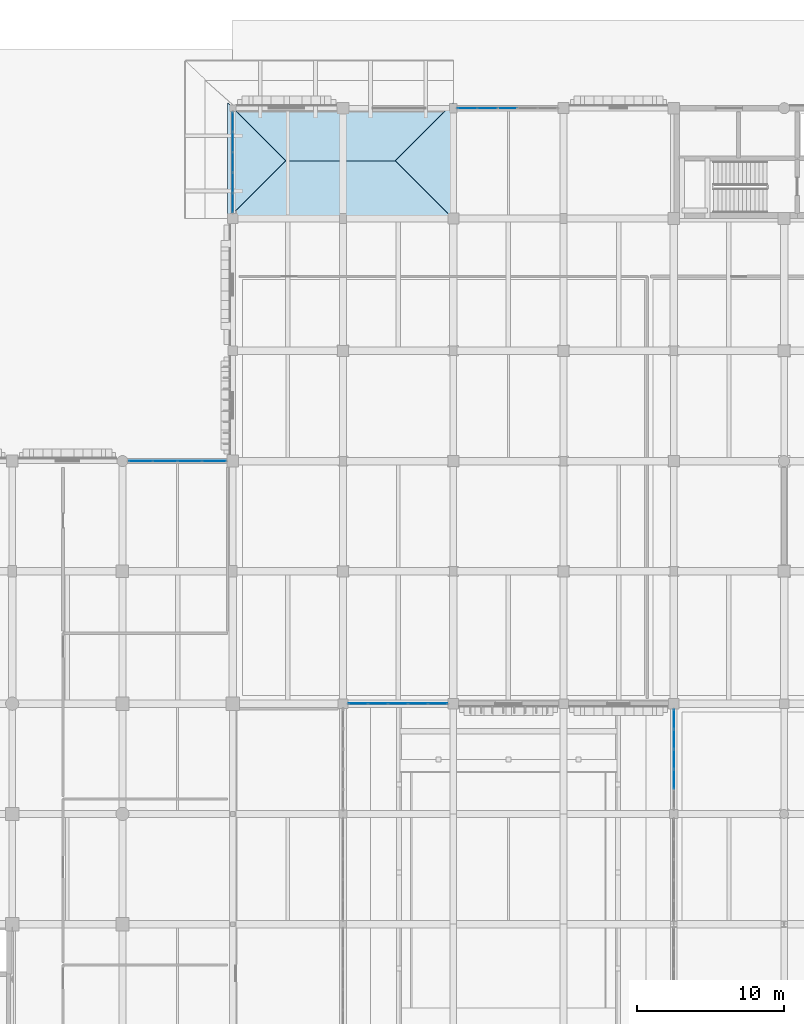
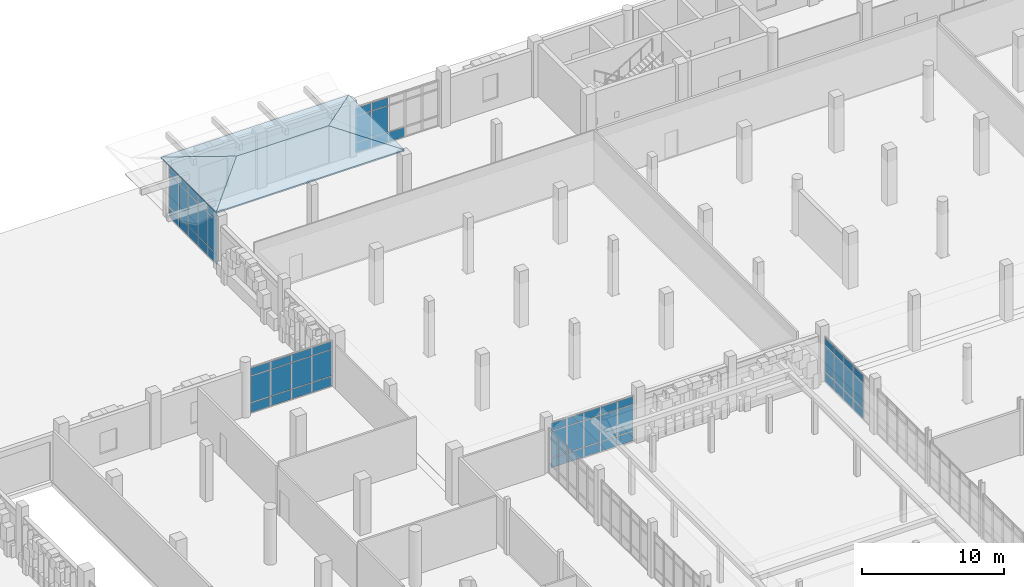
# One storey, part 78 of 125: 61 plates, 4 slabs, 6 elements without a shape of their own.
"""IFC4 building model written with IfcOpenShell, lengths in metres."""

from ifc_helpers import new_model, si_unit, direction, frame, origin, origin_2d, place, context, subcontext, project, spatial, polyline, rectangle, outline, extrude, material, layer, layer_set, type_object, element, aggregate, save


model = new_model("IFC4")

# Units and contexts
model_context = context("Model", 3, precision=1e-05, world=origin(), true_north=direction((0.0, 1.0)))
body_context = subcontext(model_context, "Body", "Model", "MODEL_VIEW")
ifc_project = project(units=[si_unit("LENGTHUNIT", "METRE"), si_unit("AREAUNIT", "SQUARE_METRE"), si_unit("VOLUMEUNIT", "CUBIC_METRE"), si_unit("PLANEANGLEUNIT", "RADIAN"), si_unit("MASSUNIT", "GRAM", prefix="KILO")], contexts=[model_context])

# Site, building, storey
site_placement = place(None, origin())
site = spatial("IfcSite", under=ifc_project, at=site_placement, CompositionType="ELEMENT")
building_placement = place(site_placement, origin())
building = spatial("IfcBuilding", under=site, at=building_placement, Name="Dalvernix Boulevard General Hospital", CompositionType="ELEMENT")
storey_placement = place(building_placement, origin())
storey = spatial("IfcBuildingStorey", under=building, at=storey_placement, Name="L00", CompositionType="ELEMENT", Elevation=0.0)

# Curtain wall, plates
ifc_material_1 = material(Name="Thermally broken aluminium and solar-control glass curtain wall", Category="aluminium")
ifc_layer_1 = layer(ifc_material_1, 0.159912109375)
ifc_layer_set_1 = layer_set([ifc_layer_1], Name="Thermally broken aluminium and solar-control glass curtain wall (CW-CW-A-67x40)")
curtain_wall_type_1 = type_object("IfcCurtainWallType", Name="CW-CW-A-67x40", PredefinedType="USERDEFINED", material=ifc_layer_set_1)
curtain_wall_1_placement = place(storey_placement, origin())
curtain_wall_1 = element("IfcCurtainWall", 1, at=curtain_wall_1_placement, inside=storey, type_object=curtain_wall_type_1, Name="L00 curtain wall CW-A-67x40 3-12", ObjectType="GLAZED FACADE", PredefinedType="USERDEFINED")
ifc_material_2 = material(Name="Double-glazed solar-control low-emissivity glass", Category="glass")
ifc_layer_2 = layer(ifc_material_2, 0.02392578125)
ifc_layer_set_2 = layer_set([ifc_layer_2], Name="Double-glazed solar-control low-emissivity glass (PLT-CW-P1)")
plate_type_1 = type_object("IfcPlateType", Name="PLT-CW-P1", PredefinedType="CURTAIN_PANEL", material=ifc_layer_set_2)
plate_1_placement = place(storey_placement, frame((23.738037109375, 93.0, 0.06005859375), z_axis=(0.0, 0.0, 1.0), x_axis=(1.0, 0.0, 0.0)))
plate_1 = element("IfcPlate", 2, at=plate_1_placement, type_object=plate_type_1, Name="CW-A-67x40 panel 1.1", PredefinedType="CURTAIN_PANEL", context=body_context, shape_type="SweptSolid", body=[
    extrude(rectangle(XDim=1.586181640625, YDim=0.02392578125, at=origin_2d()), origin(), (0.0, 0.0, 1.0), 0.81005859375),
])
plate_2_placement = place(storey_placement, frame((23.738037109375, 93.0, 0.93017578125), z_axis=(0.0, 0.0, 1.0), x_axis=(1.0, 0.0, 0.0)))
plate_2 = element("IfcPlate", 3, at=plate_2_placement, type_object=plate_type_1, Name="CW-A-67x40 panel 1.2", PredefinedType="CURTAIN_PANEL", context=body_context, shape_type="SweptSolid", body=[
    extrude(rectangle(XDim=1.586181640625, YDim=0.02392578125, at=origin_2d()), origin(), (0.0, 0.0, 1.0), 2.239990234375),
])
plate_3_placement = place(storey_placement, frame((23.738037109375, 93.0, 3.22998046875), z_axis=(0.0, 0.0, 1.0), x_axis=(1.0, 0.0, 0.0)))
plate_3 = element("IfcPlate", 4, at=plate_3_placement, type_object=plate_type_1, Name="CW-A-67x40 panel 1.3", PredefinedType="CURTAIN_PANEL", context=body_context, shape_type="SweptSolid", body=[
    extrude(rectangle(XDim=1.586181640625, YDim=0.02392578125, at=origin_2d()), origin(), (0.0, 0.0, 1.0), 0.659912109375),
])
plate_4_placement = place(storey_placement, frame((25.3994140625, 93.0, 0.06005859375), z_axis=(0.0, 0.0, 1.0), x_axis=(1.0, 0.0, 0.0)))
plate_4 = element("IfcPlate", 5, at=plate_4_placement, type_object=plate_type_1, Name="CW-A-67x40 panel 2.1", PredefinedType="CURTAIN_PANEL", context=body_context, shape_type="SweptSolid", body=[
    extrude(rectangle(XDim=1.6162109375, YDim=0.02392578125, at=origin_2d()), origin(), (0.0, 0.0, 1.0), 0.81005859375),
])
plate_5_placement = place(storey_placement, frame((25.3994140625, 93.0, 0.93017578125), z_axis=(0.0, 0.0, 1.0), x_axis=(1.0, 0.0, 0.0)))
plate_5 = element("IfcPlate", 6, at=plate_5_placement, type_object=plate_type_1, Name="CW-A-67x40 panel 2.2", PredefinedType="CURTAIN_PANEL", context=body_context, shape_type="SweptSolid", body=[
    extrude(rectangle(XDim=1.6162109375, YDim=0.02392578125, at=origin_2d()), origin(), (0.0, 0.0, 1.0), 2.239990234375),
])
plate_6_placement = place(storey_placement, frame((25.3994140625, 93.0, 3.22998046875), z_axis=(0.0, 0.0, 1.0), x_axis=(1.0, 0.0, 0.0)))
plate_6 = element("IfcPlate", 7, at=plate_6_placement, type_object=plate_type_1, Name="CW-A-67x40 panel 2.3", PredefinedType="CURTAIN_PANEL", context=body_context, shape_type="SweptSolid", body=[
    extrude(rectangle(XDim=1.6162109375, YDim=0.02392578125, at=origin_2d()), origin(), (0.0, 0.0, 1.0), 0.659912109375),
])
plate_7_placement = place(storey_placement, frame((27.07568359375, 93.0, 0.06005859375), z_axis=(0.0, 0.0, 1.0), x_axis=(1.0, 0.0, 0.0)))
plate_7 = element("IfcPlate", 8, at=plate_7_placement, type_object=plate_type_1, Name="CW-A-67x40 panel 3.1", PredefinedType="CURTAIN_PANEL", context=body_context, shape_type="SweptSolid", body=[
    extrude(rectangle(XDim=1.6162109375, YDim=0.02392578125, at=origin_2d()), origin(), (0.0, 0.0, 1.0), 0.81005859375),
])
plate_8_placement = place(storey_placement, frame((27.07568359375, 93.0, 0.93017578125), z_axis=(0.0, 0.0, 1.0), x_axis=(1.0, 0.0, 0.0)))
plate_8 = element("IfcPlate", 9, at=plate_8_placement, type_object=plate_type_1, Name="CW-A-67x40 panel 3.2", PredefinedType="CURTAIN_PANEL", context=body_context, shape_type="SweptSolid", body=[
    extrude(rectangle(XDim=1.6162109375, YDim=0.02392578125, at=origin_2d()), origin(), (0.0, 0.0, 1.0), 2.239990234375),
])
plate_9_placement = place(storey_placement, frame((27.07568359375, 93.0, 3.22998046875), z_axis=(0.0, 0.0, 1.0), x_axis=(1.0, 0.0, 0.0)))
plate_9 = element("IfcPlate", 10, at=plate_9_placement, type_object=plate_type_1, Name="CW-A-67x40 panel 3.3", PredefinedType="CURTAIN_PANEL", context=body_context, shape_type="SweptSolid", body=[
    extrude(rectangle(XDim=1.6162109375, YDim=0.02392578125, at=origin_2d()), origin(), (0.0, 0.0, 1.0), 0.659912109375),
])
plate_10_placement = place(storey_placement, frame((28.73681640625, 93.0, 0.06005859375), z_axis=(0.0, 0.0, 1.0), x_axis=(1.0, 0.0, 0.0)))
plate_10 = element("IfcPlate", 11, at=plate_10_placement, type_object=plate_type_1, Name="CW-A-67x40 panel 4.1", PredefinedType="CURTAIN_PANEL", context=body_context, shape_type="SweptSolid", body=[
    extrude(rectangle(XDim=1.586181640625, YDim=0.02392578125, at=origin_2d()), origin(), (0.0, 0.0, 1.0), 0.81005859375),
])
plate_11_placement = place(storey_placement, frame((28.73681640625, 93.0, 0.93017578125), z_axis=(0.0, 0.0, 1.0), x_axis=(1.0, 0.0, 0.0)))
plate_11 = element("IfcPlate", 12, at=plate_11_placement, type_object=plate_type_1, Name="CW-A-67x40 panel 4.2", PredefinedType="CURTAIN_PANEL", context=body_context, shape_type="SweptSolid", body=[
    extrude(rectangle(XDim=1.586181640625, YDim=0.02392578125, at=origin_2d()), origin(), (0.0, 0.0, 1.0), 2.239990234375),
])
plate_12_placement = place(storey_placement, frame((28.73681640625, 93.0, 3.22998046875), z_axis=(0.0, 0.0, 1.0), x_axis=(1.0, 0.0, 0.0)))
plate_12 = element("IfcPlate", 13, at=plate_12_placement, type_object=plate_type_1, Name="CW-A-67x40 panel 4.3", PredefinedType="CURTAIN_PANEL", context=body_context, shape_type="SweptSolid", body=[
    extrude(rectangle(XDim=1.586181640625, YDim=0.02392578125, at=origin_2d()), origin(), (0.0, 0.0, 1.0), 0.659912109375),
])
aggregate(curtain_wall_1, [plate_1, plate_2, plate_3, plate_4, plate_5, plate_6, plate_7, plate_8, plate_9, plate_10, plate_11, plate_12])

ifc_layer_3 = layer(ifc_material_1, 0.159912109375)
ifc_layer_set_3 = layer_set([ifc_layer_3], Name="Thermally broken aluminium and solar-control glass curtain wall (CW-CW-A-69x45)")
curtain_wall_type_2 = type_object("IfcCurtainWallType", Name="CW-CW-A-69x45", PredefinedType="USERDEFINED", material=ifc_layer_set_3)
curtain_wall_2_placement = place(storey_placement, origin())
curtain_wall_2 = element("IfcCurtainWall", 14, at=curtain_wall_2_placement, inside=storey, type_object=curtain_wall_type_2, Name="L00 curtain wall CW-A-69x45 4-14", ObjectType="GLAZED FACADE", PredefinedType="USERDEFINED")
plate_13_placement = place(storey_placement, frame((30.0, 110.5654296875, 0.06005859375), z_axis=(0.0, 0.0, 1.0), x_axis=(0.0, 1.0, 0.0)))
plate_13 = element("IfcPlate", 15, at=plate_13_placement, type_object=plate_type_1, Name="CW-A-69x45 panel 1.1", PredefinedType="CURTAIN_PANEL", context=body_context, shape_type="SweptSolid", body=[
    extrude(rectangle(XDim=1.291015625, YDim=0.02392578125, at=origin_2d()), origin(), (0.0, 0.0, 1.0), 0.81005859375),
])
plate_14_placement = place(storey_placement, frame((30.0, 110.5654296875, 0.929931640625), z_axis=(0.0, 0.0, 1.0), x_axis=(0.0, 1.0, 0.0)))
plate_14 = element("IfcPlate", 16, at=plate_14_placement, type_object=plate_type_1, Name="CW-A-69x45 panel 1.2", PredefinedType="CURTAIN_PANEL", context=body_context, shape_type="SweptSolid", body=[
    extrude(rectangle(XDim=1.291015625, YDim=0.02392578125, at=origin_2d()), origin(), (0.0, 0.0, 1.0), 2.7900390625),
])
plate_15_placement = place(storey_placement, frame((30.0, 110.5654296875, 3.7802734375), z_axis=(0.0, 0.0, 1.0), x_axis=(0.0, 1.0, 0.0)))
plate_15 = element("IfcPlate", 17, at=plate_15_placement, type_object=plate_type_1, Name="CW-A-69x45 panel 1.3", PredefinedType="CURTAIN_PANEL", context=body_context, shape_type="SweptSolid", body=[
    extrude(rectangle(XDim=1.291015625, YDim=0.02392578125, at=origin_2d()), origin(), (0.0, 0.0, 1.0), 0.659912109375),
])
plate_16_placement = place(storey_placement, frame((30.0, 111.931396484375, 0.06005859375), z_axis=(0.0, 0.0, 1.0), x_axis=(0.0, 1.0, 0.0)))
plate_16 = element("IfcPlate", 18, at=plate_16_placement, type_object=plate_type_1, Name="CW-A-69x45 panel 2.1", PredefinedType="CURTAIN_PANEL", context=body_context, shape_type="SweptSolid", body=[
    extrude(rectangle(XDim=1.321044921875, YDim=0.02392578125, at=origin_2d()), origin(), (0.0, 0.0, 1.0), 0.81005859375),
])
plate_17_placement = place(storey_placement, frame((30.0, 111.931396484375, 0.929931640625), z_axis=(0.0, 0.0, 1.0), x_axis=(0.0, 1.0, 0.0)))
plate_17 = element("IfcPlate", 19, at=plate_17_placement, type_object=plate_type_1, Name="CW-A-69x45 panel 2.2", PredefinedType="CURTAIN_PANEL", context=body_context, shape_type="SweptSolid", body=[
    extrude(rectangle(XDim=1.321044921875, YDim=0.02392578125, at=origin_2d()), origin(), (0.0, 0.0, 1.0), 2.7900390625),
])
plate_18_placement = place(storey_placement, frame((30.0, 111.931396484375, 3.7802734375), z_axis=(0.0, 0.0, 1.0), x_axis=(0.0, 1.0, 0.0)))
plate_18 = element("IfcPlate", 20, at=plate_18_placement, type_object=plate_type_1, Name="CW-A-69x45 panel 2.3", PredefinedType="CURTAIN_PANEL", context=body_context, shape_type="SweptSolid", body=[
    extrude(rectangle(XDim=1.321044921875, YDim=0.02392578125, at=origin_2d()), origin(), (0.0, 0.0, 1.0), 0.659912109375),
])
plate_19_placement = place(storey_placement, frame((30.0, 113.3125, 0.06005859375), z_axis=(0.0, 0.0, 1.0), x_axis=(0.0, 1.0, 0.0)))
plate_19 = element("IfcPlate", 21, at=plate_19_placement, type_object=plate_type_1, Name="CW-A-69x45 panel 3.1", PredefinedType="CURTAIN_PANEL", context=body_context, shape_type="SweptSolid", body=[
    extrude(rectangle(XDim=1.321044921875, YDim=0.02392578125, at=origin_2d()), origin(), (0.0, 0.0, 1.0), 0.81005859375),
])
plate_20_placement = place(storey_placement, frame((30.0, 113.3125, 0.929931640625), z_axis=(0.0, 0.0, 1.0), x_axis=(0.0, 1.0, 0.0)))
plate_20 = element("IfcPlate", 22, at=plate_20_placement, type_object=plate_type_1, Name="CW-A-69x45 panel 3.2", PredefinedType="CURTAIN_PANEL", context=body_context, shape_type="SweptSolid", body=[
    extrude(rectangle(XDim=1.321044921875, YDim=0.02392578125, at=origin_2d()), origin(), (0.0, 0.0, 1.0), 2.7900390625),
])
plate_21_placement = place(storey_placement, frame((30.0, 113.3125, 3.7802734375), z_axis=(0.0, 0.0, 1.0), x_axis=(0.0, 1.0, 0.0)))
plate_21 = element("IfcPlate", 23, at=plate_21_placement, type_object=plate_type_1, Name="CW-A-69x45 panel 3.3", PredefinedType="CURTAIN_PANEL", context=body_context, shape_type="SweptSolid", body=[
    extrude(rectangle(XDim=1.321044921875, YDim=0.02392578125, at=origin_2d()), origin(), (0.0, 0.0, 1.0), 0.659912109375),
])
plate_22_placement = place(storey_placement, frame((30.0, 114.693603515625, 0.06005859375), z_axis=(0.0, 0.0, 1.0), x_axis=(0.0, 1.0, 0.0)))
plate_22 = element("IfcPlate", 24, at=plate_22_placement, type_object=plate_type_1, Name="CW-A-69x45 panel 4.1", PredefinedType="CURTAIN_PANEL", context=body_context, shape_type="SweptSolid", body=[
    extrude(rectangle(XDim=1.321044921875, YDim=0.02392578125, at=origin_2d()), origin(), (0.0, 0.0, 1.0), 0.81005859375),
])
plate_23_placement = place(storey_placement, frame((30.0, 114.693603515625, 0.929931640625), z_axis=(0.0, 0.0, 1.0), x_axis=(0.0, 1.0, 0.0)))
plate_23 = element("IfcPlate", 25, at=plate_23_placement, type_object=plate_type_1, Name="CW-A-69x45 panel 4.2", PredefinedType="CURTAIN_PANEL", context=body_context, shape_type="SweptSolid", body=[
    extrude(rectangle(XDim=1.321044921875, YDim=0.02392578125, at=origin_2d()), origin(), (0.0, 0.0, 1.0), 2.7900390625),
])
plate_24_placement = place(storey_placement, frame((30.0, 114.693603515625, 3.7802734375), z_axis=(0.0, 0.0, 1.0), x_axis=(0.0, 1.0, 0.0)))
plate_24 = element("IfcPlate", 26, at=plate_24_placement, type_object=plate_type_1, Name="CW-A-69x45 panel 4.3", PredefinedType="CURTAIN_PANEL", context=body_context, shape_type="SweptSolid", body=[
    extrude(rectangle(XDim=1.321044921875, YDim=0.02392578125, at=origin_2d()), origin(), (0.0, 0.0, 1.0), 0.659912109375),
])
plate_25_placement = place(storey_placement, frame((30.0, 116.0595703125, 0.06005859375), z_axis=(0.0, 0.0, 1.0), x_axis=(0.0, 1.0, 0.0)))
plate_25 = element("IfcPlate", 27, at=plate_25_placement, type_object=plate_type_1, Name="CW-A-69x45 panel 5.1", PredefinedType="CURTAIN_PANEL", context=body_context, shape_type="SweptSolid", body=[
    extrude(rectangle(XDim=1.291015625, YDim=0.02392578125, at=origin_2d()), origin(), (0.0, 0.0, 1.0), 0.81005859375),
])
plate_26_placement = place(storey_placement, frame((30.0, 116.0595703125, 0.929931640625), z_axis=(0.0, 0.0, 1.0), x_axis=(0.0, 1.0, 0.0)))
plate_26 = element("IfcPlate", 28, at=plate_26_placement, type_object=plate_type_1, Name="CW-A-69x45 panel 5.2", PredefinedType="CURTAIN_PANEL", context=body_context, shape_type="SweptSolid", body=[
    extrude(rectangle(XDim=1.291015625, YDim=0.02392578125, at=origin_2d()), origin(), (0.0, 0.0, 1.0), 2.7900390625),
])
plate_27_placement = place(storey_placement, frame((30.0, 116.0595703125, 3.7802734375), z_axis=(0.0, 0.0, 1.0), x_axis=(0.0, 1.0, 0.0)))
plate_27 = element("IfcPlate", 29, at=plate_27_placement, type_object=plate_type_1, Name="CW-A-69x45 panel 5.3", PredefinedType="CURTAIN_PANEL", context=body_context, shape_type="SweptSolid", body=[
    extrude(rectangle(XDim=1.291015625, YDim=0.02392578125, at=origin_2d()), origin(), (0.0, 0.0, 1.0), 0.659912109375),
])
aggregate(curtain_wall_2, [plate_13, plate_14, plate_15, plate_16, plate_17, plate_18, plate_19, plate_20, plate_21, plate_22, plate_23, plate_24, plate_25, plate_26, plate_27])

ifc_layer_4 = layer(ifc_material_1, 0.159912109375)
ifc_layer_set_4 = layer_set([ifc_layer_4], Name="Thermally broken aluminium and solar-control glass curtain wall (CW-CW-A-68x40)")
curtain_wall_type_3 = type_object("IfcCurtainWallType", Name="CW-CW-A-68x40", PredefinedType="USERDEFINED", material=ifc_layer_set_4)
curtain_wall_3_placement = place(storey_placement, origin())
curtain_wall_3 = element("IfcCurtainWall", 30, at=curtain_wall_3_placement, inside=storey, type_object=curtain_wall_type_3, Name="L00 curtain wall CW-A-68x40 5-10", ObjectType="GLAZED FACADE", PredefinedType="USERDEFINED")
plate_28_placement = place(storey_placement, frame((43.944580078125, 76.5, 0.06005859375), z_axis=(0.0, 0.0, 1.0), x_axis=(-1.0, 0.0, 0.0)))
plate_28 = element("IfcPlate", 31, at=plate_28_placement, type_object=plate_type_1, Name="CW-A-68x40 panel 1.1", PredefinedType="CURTAIN_PANEL", context=body_context, shape_type="SweptSolid", body=[
    extrude(rectangle(XDim=1.27099609375, YDim=0.02392578125, at=origin_2d()), origin(), (0.0, 0.0, 1.0), 0.81005859375),
])
plate_29_placement = place(storey_placement, frame((43.944580078125, 76.5, 0.93017578125), z_axis=(0.0, 0.0, 1.0), x_axis=(-1.0, 0.0, 0.0)))
plate_29 = element("IfcPlate", 32, at=plate_29_placement, type_object=plate_type_1, Name="CW-A-68x40 panel 1.2", PredefinedType="CURTAIN_PANEL", context=body_context, shape_type="SweptSolid", body=[
    extrude(rectangle(XDim=1.27099609375, YDim=0.02392578125, at=origin_2d()), origin(), (0.0, 0.0, 1.0), 2.239990234375),
])
plate_30_placement = place(storey_placement, frame((43.944580078125, 76.5, 3.22998046875), z_axis=(0.0, 0.0, 1.0), x_axis=(-1.0, 0.0, 0.0)))
plate_30 = element("IfcPlate", 33, at=plate_30_placement, type_object=plate_type_1, Name="CW-A-68x40 panel 1.3", PredefinedType="CURTAIN_PANEL", context=body_context, shape_type="SweptSolid", body=[
    extrude(rectangle(XDim=1.27099609375, YDim=0.02392578125, at=origin_2d()), origin(), (0.0, 0.0, 1.0), 0.659912109375),
])
plate_31_placement = place(storey_placement, frame((42.598388671875, 76.5, 0.06005859375), z_axis=(0.0, 0.0, 1.0), x_axis=(-1.0, 0.0, 0.0)))
plate_31 = element("IfcPlate", 34, at=plate_31_placement, type_object=plate_type_1, Name="CW-A-68x40 panel 2.1", PredefinedType="CURTAIN_PANEL", context=body_context, shape_type="SweptSolid", body=[
    extrude(rectangle(XDim=1.301025390625, YDim=0.02392578125, at=origin_2d()), origin(), (0.0, 0.0, 1.0), 0.81005859375),
])
plate_32_placement = place(storey_placement, frame((42.598388671875, 76.5, 0.93017578125), z_axis=(0.0, 0.0, 1.0), x_axis=(-1.0, 0.0, 0.0)))
plate_32 = element("IfcPlate", 35, at=plate_32_placement, type_object=plate_type_1, Name="CW-A-68x40 panel 2.2", PredefinedType="CURTAIN_PANEL", context=body_context, shape_type="SweptSolid", body=[
    extrude(rectangle(XDim=1.301025390625, YDim=0.02392578125, at=origin_2d()), origin(), (0.0, 0.0, 1.0), 2.239990234375),
])
plate_33_placement = place(storey_placement, frame((42.598388671875, 76.5, 3.22998046875), z_axis=(0.0, 0.0, 1.0), x_axis=(-1.0, 0.0, 0.0)))
plate_33 = element("IfcPlate", 36, at=plate_33_placement, type_object=plate_type_1, Name="CW-A-68x40 panel 2.3", PredefinedType="CURTAIN_PANEL", context=body_context, shape_type="SweptSolid", body=[
    extrude(rectangle(XDim=1.301025390625, YDim=0.02392578125, at=origin_2d()), origin(), (0.0, 0.0, 1.0), 0.659912109375),
])
plate_34_placement = place(storey_placement, frame((41.237548828125, 76.5, 0.06005859375), z_axis=(0.0, 0.0, 1.0), x_axis=(-1.0, 0.0, 0.0)))
plate_34 = element("IfcPlate", 37, at=plate_34_placement, type_object=plate_type_1, Name="CW-A-68x40 panel 3.1", PredefinedType="CURTAIN_PANEL", context=body_context, shape_type="SweptSolid", body=[
    extrude(rectangle(XDim=1.301025390625, YDim=0.02392578125, at=origin_2d()), origin(), (0.0, 0.0, 1.0), 0.81005859375),
])
plate_35_placement = place(storey_placement, frame((41.237548828125, 76.5, 0.93017578125), z_axis=(0.0, 0.0, 1.0), x_axis=(-1.0, 0.0, 0.0)))
plate_35 = element("IfcPlate", 38, at=plate_35_placement, type_object=plate_type_1, Name="CW-A-68x40 panel 3.2", PredefinedType="CURTAIN_PANEL", context=body_context, shape_type="SweptSolid", body=[
    extrude(rectangle(XDim=1.301025390625, YDim=0.02392578125, at=origin_2d()), origin(), (0.0, 0.0, 1.0), 2.239990234375),
])
plate_36_placement = place(storey_placement, frame((41.237548828125, 76.5, 3.22998046875), z_axis=(0.0, 0.0, 1.0), x_axis=(-1.0, 0.0, 0.0)))
plate_36 = element("IfcPlate", 39, at=plate_36_placement, type_object=plate_type_1, Name="CW-A-68x40 panel 3.3", PredefinedType="CURTAIN_PANEL", context=body_context, shape_type="SweptSolid", body=[
    extrude(rectangle(XDim=1.301025390625, YDim=0.02392578125, at=origin_2d()), origin(), (0.0, 0.0, 1.0), 0.659912109375),
])
plate_37_placement = place(storey_placement, frame((39.87646484375, 76.5, 0.06005859375), z_axis=(0.0, 0.0, 1.0), x_axis=(-1.0, 0.0, 0.0)))
plate_37 = element("IfcPlate", 40, at=plate_37_placement, type_object=plate_type_1, Name="CW-A-68x40 panel 4.1", PredefinedType="CURTAIN_PANEL", context=body_context, shape_type="SweptSolid", body=[
    extrude(rectangle(XDim=1.301025390625, YDim=0.02392578125, at=origin_2d()), origin(), (0.0, 0.0, 1.0), 0.81005859375),
])
plate_38_placement = place(storey_placement, frame((39.87646484375, 76.5, 0.93017578125), z_axis=(0.0, 0.0, 1.0), x_axis=(-1.0, 0.0, 0.0)))
plate_38 = element("IfcPlate", 41, at=plate_38_placement, type_object=plate_type_1, Name="CW-A-68x40 panel 4.2", PredefinedType="CURTAIN_PANEL", context=body_context, shape_type="SweptSolid", body=[
    extrude(rectangle(XDim=1.301025390625, YDim=0.02392578125, at=origin_2d()), origin(), (0.0, 0.0, 1.0), 2.239990234375),
])
plate_39_placement = place(storey_placement, frame((39.87646484375, 76.5, 3.22998046875), z_axis=(0.0, 0.0, 1.0), x_axis=(-1.0, 0.0, 0.0)))
plate_39 = element("IfcPlate", 42, at=plate_39_placement, type_object=plate_type_1, Name="CW-A-68x40 panel 4.3", PredefinedType="CURTAIN_PANEL", context=body_context, shape_type="SweptSolid", body=[
    extrude(rectangle(XDim=1.301025390625, YDim=0.02392578125, at=origin_2d()), origin(), (0.0, 0.0, 1.0), 0.659912109375),
])
plate_40_placement = place(storey_placement, frame((38.530517578125, 76.5, 0.06005859375), z_axis=(0.0, 0.0, 1.0), x_axis=(-1.0, 0.0, 0.0)))
plate_40 = element("IfcPlate", 43, at=plate_40_placement, type_object=plate_type_1, Name="CW-A-68x40 panel 5.1", PredefinedType="CURTAIN_PANEL", context=body_context, shape_type="SweptSolid", body=[
    extrude(rectangle(XDim=1.27099609375, YDim=0.02392578125, at=origin_2d()), origin(), (0.0, 0.0, 1.0), 0.81005859375),
])
plate_41_placement = place(storey_placement, frame((38.530517578125, 76.5, 0.93017578125), z_axis=(0.0, 0.0, 1.0), x_axis=(-1.0, 0.0, 0.0)))
plate_41 = element("IfcPlate", 44, at=plate_41_placement, type_object=plate_type_1, Name="CW-A-68x40 panel 5.2", PredefinedType="CURTAIN_PANEL", context=body_context, shape_type="SweptSolid", body=[
    extrude(rectangle(XDim=1.27099609375, YDim=0.02392578125, at=origin_2d()), origin(), (0.0, 0.0, 1.0), 2.239990234375),
])
plate_42_placement = place(storey_placement, frame((38.530517578125, 76.5, 3.22998046875), z_axis=(0.0, 0.0, 1.0), x_axis=(-1.0, 0.0, 0.0)))
plate_42 = element("IfcPlate", 45, at=plate_42_placement, type_object=plate_type_1, Name="CW-A-68x40 panel 5.3", PredefinedType="CURTAIN_PANEL", context=body_context, shape_type="SweptSolid", body=[
    extrude(rectangle(XDim=1.27099609375, YDim=0.02392578125, at=origin_2d()), origin(), (0.0, 0.0, 1.0), 0.659912109375),
])
aggregate(curtain_wall_3, [plate_28, plate_29, plate_30, plate_31, plate_32, plate_33, plate_34, plate_35, plate_36, plate_37, plate_38, plate_39, plate_40, plate_41, plate_42])

ifc_layer_5 = layer(ifc_material_1, 0.159912109375)
ifc_layer_set_5 = layer_set([ifc_layer_5], Name="Thermally broken aluminium and solar-control glass curtain wall (CW-CW-A-69x40)")
curtain_wall_type_4 = type_object("IfcCurtainWallType", Name="CW-CW-A-69x40", PredefinedType="USERDEFINED", material=ifc_layer_set_5)
curtain_wall_4_placement = place(storey_placement, origin())
curtain_wall_4 = element("IfcCurtainWall", 46, at=curtain_wall_4_placement, inside=storey, type_object=curtain_wall_type_4, Name="L00 curtain wall CW-A-69x40 6-15", ObjectType="GLAZED FACADE", PredefinedType="USERDEFINED")
plate_43_placement = place(storey_placement, frame((45.96044921875, 117.0, 0.06005859375), z_axis=(0.0, 0.0, 1.0), x_axis=(1.0, 0.0, 0.0)))
plate_43 = element("IfcPlate", 47, at=plate_43_placement, type_object=plate_type_1, Name="CW-A-69x40 panel 1.1", PredefinedType="CURTAIN_PANEL", context=body_context, shape_type="SweptSolid", body=[
    extrude(rectangle(XDim=1.281005859375, YDim=0.02392578125, at=origin_2d()), origin(), (0.0, 0.0, 1.0), 0.81005859375),
])
plate_44_placement = place(storey_placement, frame((45.96044921875, 117.0, 0.93017578125), z_axis=(0.0, 0.0, 1.0), x_axis=(1.0, 0.0, 0.0)))
plate_44 = element("IfcPlate", 48, at=plate_44_placement, type_object=plate_type_1, Name="CW-A-69x40 panel 1.2", PredefinedType="CURTAIN_PANEL", context=body_context, shape_type="SweptSolid", body=[
    extrude(rectangle(XDim=1.281005859375, YDim=0.02392578125, at=origin_2d()), origin(), (0.0, 0.0, 1.0), 2.239990234375),
])
plate_45_placement = place(storey_placement, frame((45.96044921875, 117.0, 3.22998046875), z_axis=(0.0, 0.0, 1.0), x_axis=(1.0, 0.0, 0.0)))
plate_45 = element("IfcPlate", 49, at=plate_45_placement, type_object=plate_type_1, Name="CW-A-69x40 panel 1.3", PredefinedType="CURTAIN_PANEL", context=body_context, shape_type="SweptSolid", body=[
    extrude(rectangle(XDim=1.281005859375, YDim=0.02392578125, at=origin_2d()), origin(), (0.0, 0.0, 1.0), 0.659912109375),
])
plate_46_placement = place(storey_placement, frame((47.31640625, 117.0, 0.06005859375), z_axis=(0.0, 0.0, 1.0), x_axis=(1.0, 0.0, 0.0)))
plate_46 = element("IfcPlate", 50, at=plate_46_placement, type_object=plate_type_1, Name="CW-A-69x40 panel 2.1", PredefinedType="CURTAIN_PANEL", context=body_context, shape_type="SweptSolid", body=[
    extrude(rectangle(XDim=1.31103515625, YDim=0.02392578125, at=origin_2d()), origin(), (0.0, 0.0, 1.0), 0.81005859375),
])
plate_47_placement = place(storey_placement, frame((47.31640625, 117.0, 0.93017578125), z_axis=(0.0, 0.0, 1.0), x_axis=(1.0, 0.0, 0.0)))
plate_47 = element("IfcPlate", 51, at=plate_47_placement, type_object=plate_type_1, Name="CW-A-69x40 panel 2.2", PredefinedType="CURTAIN_PANEL", context=body_context, shape_type="SweptSolid", body=[
    extrude(rectangle(XDim=1.31103515625, YDim=0.02392578125, at=origin_2d()), origin(), (0.0, 0.0, 1.0), 2.239990234375),
])
plate_48_placement = place(storey_placement, frame((47.31640625, 117.0, 3.22998046875), z_axis=(0.0, 0.0, 1.0), x_axis=(1.0, 0.0, 0.0)))
plate_48 = element("IfcPlate", 52, at=plate_48_placement, type_object=plate_type_1, Name="CW-A-69x40 panel 2.3", PredefinedType="CURTAIN_PANEL", context=body_context, shape_type="SweptSolid", body=[
    extrude(rectangle(XDim=1.31103515625, YDim=0.02392578125, at=origin_2d()), origin(), (0.0, 0.0, 1.0), 0.659912109375),
])
plate_49_placement = place(storey_placement, frame((48.6875, 117.0, 0.06005859375), z_axis=(0.0, 0.0, 1.0), x_axis=(1.0, 0.0, 0.0)))
plate_49 = element("IfcPlate", 53, at=plate_49_placement, type_object=plate_type_1, Name="CW-A-69x40 panel 3.1", PredefinedType="CURTAIN_PANEL", context=body_context, shape_type="SweptSolid", body=[
    extrude(rectangle(XDim=1.31103515625, YDim=0.02392578125, at=origin_2d()), origin(), (0.0, 0.0, 1.0), 0.81005859375),
])
aggregate(curtain_wall_4, [plate_43, plate_44, plate_45, plate_46, plate_47, plate_48, plate_49])

ifc_layer_6 = layer(ifc_material_1, 0.199951171875)
ifc_layer_set_6 = layer_set([ifc_layer_6], Name="Thermally broken aluminium and solar-control glass curtain wall (CW-CW-C-68x39)")
curtain_wall_type_5 = type_object("IfcCurtainWallType", Name="CW-CW-C-68x39", PredefinedType="USERDEFINED", material=ifc_layer_set_6)
curtain_wall_5_placement = place(storey_placement, origin())
curtain_wall_5 = element("IfcCurtainWall", 54, at=curtain_wall_5_placement, inside=storey, type_object=curtain_wall_type_5, Name="L00 curtain wall CW-C-68x39 8-9", ObjectType="GLAZED FACADE", PredefinedType="USERDEFINED")
ifc_layer_7 = layer(ifc_material_2, 0.035888671875)
ifc_layer_set_7 = layer_set([ifc_layer_7], Name="Double-glazed solar-control low-emissivity glass (PLT-CW-P3)")
plate_type_2 = type_object("IfcPlateType", Name="PLT-CW-P3", PredefinedType="CURTAIN_PANEL", material=ifc_layer_set_7)
plate_50_placement = place(storey_placement, frame((60.0, 71.35888671875, 0.070068359375), z_axis=(0.0, 0.0, 1.0), x_axis=(0.0, 1.0, 0.0)))
plate_50 = element("IfcPlate", 55, at=plate_50_placement, type_object=plate_type_2, Name="CW-C-68x39 panel 2.1", PredefinedType="CURTAIN_PANEL", context=body_context, shape_type="SweptSolid", body=[
    extrude(rectangle(XDim=1.2958984375, YDim=0.035888671875, at=origin_2d()), origin(), (0.0, 0.0, 1.0), 0.794921875),
])
plate_51_placement = place(storey_placement, frame((60.0, 71.35888671875, 0.93505859375), z_axis=(0.0, 0.0, 1.0), x_axis=(0.0, 1.0, 0.0)))
plate_51 = element("IfcPlate", 56, at=plate_51_placement, type_object=plate_type_2, Name="CW-C-68x39 panel 2.2", PredefinedType="CURTAIN_PANEL", context=body_context, shape_type="SweptSolid", body=[
    extrude(rectangle(XDim=1.2958984375, YDim=0.035888671875, at=origin_2d()), origin(), (0.0, 0.0, 1.0), 2.179931640625),
])
plate_52_placement = place(storey_placement, frame((60.0, 71.35888671875, 3.18505859375), z_axis=(0.0, 0.0, 1.0), x_axis=(0.0, 1.0, 0.0)))
plate_52 = element("IfcPlate", 57, at=plate_52_placement, type_object=plate_type_2, Name="CW-C-68x39 panel 2.3", PredefinedType="CURTAIN_PANEL", context=body_context, shape_type="SweptSolid", body=[
    extrude(rectangle(XDim=1.2958984375, YDim=0.035888671875, at=origin_2d()), origin(), (0.0, 0.0, 1.0), 0.64501953125),
])
plate_53_placement = place(storey_placement, frame((60.0, 72.72509765625, 0.070068359375), z_axis=(0.0, 0.0, 1.0), x_axis=(0.0, 1.0, 0.0)))
plate_53 = element("IfcPlate", 58, at=plate_53_placement, type_object=plate_type_2, Name="CW-C-68x39 panel 3.1", PredefinedType="CURTAIN_PANEL", context=body_context, shape_type="SweptSolid", body=[
    extrude(rectangle(XDim=1.2958984375, YDim=0.035888671875, at=origin_2d()), origin(), (0.0, 0.0, 1.0), 0.794921875),
])
plate_54_placement = place(storey_placement, frame((60.0, 72.72509765625, 0.93505859375), z_axis=(0.0, 0.0, 1.0), x_axis=(0.0, 1.0, 0.0)))
plate_54 = element("IfcPlate", 59, at=plate_54_placement, type_object=plate_type_2, Name="CW-C-68x39 panel 3.2", PredefinedType="CURTAIN_PANEL", context=body_context, shape_type="SweptSolid", body=[
    extrude(rectangle(XDim=1.2958984375, YDim=0.035888671875, at=origin_2d()), origin(), (0.0, 0.0, 1.0), 2.179931640625),
])
plate_55_placement = place(storey_placement, frame((60.0, 72.72509765625, 3.18505859375), z_axis=(0.0, 0.0, 1.0), x_axis=(0.0, 1.0, 0.0)))
plate_55 = element("IfcPlate", 60, at=plate_55_placement, type_object=plate_type_2, Name="CW-C-68x39 panel 3.3", PredefinedType="CURTAIN_PANEL", context=body_context, shape_type="SweptSolid", body=[
    extrude(rectangle(XDim=1.2958984375, YDim=0.035888671875, at=origin_2d()), origin(), (0.0, 0.0, 1.0), 0.64501953125),
])
plate_56_placement = place(storey_placement, frame((60.0, 74.091064453125, 0.070068359375), z_axis=(0.0, 0.0, 1.0), x_axis=(0.0, 1.0, 0.0)))
plate_56 = element("IfcPlate", 61, at=plate_56_placement, type_object=plate_type_2, Name="CW-C-68x39 panel 4.1", PredefinedType="CURTAIN_PANEL", context=body_context, shape_type="SweptSolid", body=[
    extrude(rectangle(XDim=1.2958984375, YDim=0.035888671875, at=origin_2d()), origin(), (0.0, 0.0, 1.0), 0.794921875),
])
plate_57_placement = place(storey_placement, frame((60.0, 74.091064453125, 0.93505859375), z_axis=(0.0, 0.0, 1.0), x_axis=(0.0, 1.0, 0.0)))
plate_57 = element("IfcPlate", 62, at=plate_57_placement, type_object=plate_type_2, Name="CW-C-68x39 panel 4.2", PredefinedType="CURTAIN_PANEL", context=body_context, shape_type="SweptSolid", body=[
    extrude(rectangle(XDim=1.2958984375, YDim=0.035888671875, at=origin_2d()), origin(), (0.0, 0.0, 1.0), 2.179931640625),
])
plate_58_placement = place(storey_placement, frame((60.0, 74.091064453125, 3.18505859375), z_axis=(0.0, 0.0, 1.0), x_axis=(0.0, 1.0, 0.0)))
plate_58 = element("IfcPlate", 63, at=plate_58_placement, type_object=plate_type_2, Name="CW-C-68x39 panel 4.3", PredefinedType="CURTAIN_PANEL", context=body_context, shape_type="SweptSolid", body=[
    extrude(rectangle(XDim=1.2958984375, YDim=0.035888671875, at=origin_2d()), origin(), (0.0, 0.0, 1.0), 0.64501953125),
])
plate_59_placement = place(storey_placement, frame((60.0, 75.439453125, 0.070068359375), z_axis=(0.0, 0.0, 1.0), x_axis=(0.0, 1.0, 0.0)))
plate_59 = element("IfcPlate", 64, at=plate_59_placement, type_object=plate_type_2, Name="CW-C-68x39 panel 5.1", PredefinedType="CURTAIN_PANEL", context=body_context, shape_type="SweptSolid", body=[
    extrude(rectangle(XDim=1.260986328125, YDim=0.035888671875, at=origin_2d()), origin(), (0.0, 0.0, 1.0), 0.794921875),
])
plate_60_placement = place(storey_placement, frame((60.0, 75.439453125, 0.93505859375), z_axis=(0.0, 0.0, 1.0), x_axis=(0.0, 1.0, 0.0)))
plate_60 = element("IfcPlate", 65, at=plate_60_placement, type_object=plate_type_2, Name="CW-C-68x39 panel 5.2", PredefinedType="CURTAIN_PANEL", context=body_context, shape_type="SweptSolid", body=[
    extrude(rectangle(XDim=1.260986328125, YDim=0.035888671875, at=origin_2d()), origin(), (0.0, 0.0, 1.0), 2.179931640625),
])
plate_61_placement = place(storey_placement, frame((60.0, 75.439453125, 3.18505859375), z_axis=(0.0, 0.0, 1.0), x_axis=(0.0, 1.0, 0.0)))
plate_61 = element("IfcPlate", 66, at=plate_61_placement, type_object=plate_type_2, Name="CW-C-68x39 panel 5.3", PredefinedType="CURTAIN_PANEL", context=body_context, shape_type="SweptSolid", body=[
    extrude(rectangle(XDim=1.260986328125, YDim=0.035888671875, at=origin_2d()), origin(), (0.0, 0.0, 1.0), 0.64501953125),
])
aggregate(curtain_wall_5, [plate_50, plate_51, plate_52, plate_53, plate_54, plate_55, plate_56, plate_57, plate_58, plate_59, plate_60, plate_61])

# Roof, slabs
ifc_material_3 = material(Name="Polychrome Catalan glazed terracotta tile roof system", Category="masonry")
roof_type = type_object("IfcRoofType", Name="ROOF-HIP-01", PredefinedType="HIP_ROOF", material=ifc_material_3)
roof_placement = place(storey_placement, origin())
roof = element("IfcRoof", 67, at=roof_placement, inside=storey, type_object=roof_type, Name="V3-L00NW Hipped Ceramic Roof", PredefinedType="HIP_ROOF")
ifc_material_4 = material(Name="Glulam GL28h", Category="wood")
ifc_layer_8 = layer(ifc_material_4, 0.159912109375)
ifc_layer_set_8 = layer_set([ifc_layer_8], Name="Glulam GL28h (SLB-RS-04)")
slab_type = type_object("IfcSlabType", Name="SLB-RS-04", PredefinedType="ROOF", material=ifc_layer_set_8)
slab_1_placement = place(storey_placement, frame((29.64990234375, 109.5, 4.966064453125), z_axis=(0.0, -0.265536966303, 0.964100679144), x_axis=(1.0, 0.0, 0.0)))
slab_1 = element("IfcSlab", 68, at=slab_1_placement, type_object=slab_type, Name="V3-L00NW hipped roof slab S", PredefinedType="ROOF", context=body_context, shape_type="SweptSolid", body=[
    extrude(outline(polyline([(0.0, 0.0), (15.35009765625, 0.0), (11.425048828125, 4.07120222299644), (3.925048828125, 4.07120222299644), (0.0, 0.0)])), origin(), (0.0, 0.0, -1.0), 0.159912109375),
])
slab_2_placement = place(storey_placement, frame((45.0, 117.35009765625, 4.966064453125), z_axis=(0.0, 0.265536966303, 0.964100679144), x_axis=(-1.0, 0.0, 0.0)))
slab_2 = element("IfcSlab", 69, at=slab_2_placement, type_object=slab_type, Name="V3-L00NW hipped roof slab N", PredefinedType="ROOF", context=body_context, shape_type="SweptSolid", body=[
    extrude(outline(polyline([(0.0, 0.0), (15.35009765625, 0.0), (11.425048828125, 4.07120222299644), (3.925048828125, 4.07120222299644), (0.0, 0.0)])), origin(), (0.0, 0.0, -1.0), 0.159912109375),
])
slab_3_placement = place(storey_placement, frame((29.64990234375, 117.35009765625, 4.966064453125), z_axis=(-0.265536966303, 0.0, 0.964100679144), x_axis=(0.0, -1.0, 0.0)))
slab_3 = element("IfcSlab", 70, at=slab_3_placement, type_object=slab_type, Name="V3-L00NW hipped roof slab W", PredefinedType="ROOF", context=body_context, shape_type="SweptSolid", body=[
    extrude(outline(polyline([(0.0, 0.0), (7.85009765625, 0.0), (3.925048828125, 4.07120222299644), (0.0, 0.0)])), origin(), (0.0, 0.0, -1.0), 0.159912109375),
])
slab_4_placement = place(storey_placement, frame((45.0, 109.5, 4.966064453125), z_axis=(0.265536966303, 0.0, 0.964100679144), x_axis=(0.0, 1.0, 0.0)))
slab_4 = element("IfcSlab", 71, at=slab_4_placement, type_object=slab_type, Name="V3-L00NW hipped roof slab E", PredefinedType="ROOF", context=body_context, shape_type="SweptSolid", body=[
    extrude(outline(polyline([(0.0, 0.0), (7.85009765625, 0.0), (3.925048828125, 4.07120222299644), (0.0, 0.0)])), origin(), (0.0, 0.0, -1.0), 0.159912109375),
])
aggregate(roof, [slab_1, slab_2, slab_3, slab_4])

save(model, "model.ifc")
